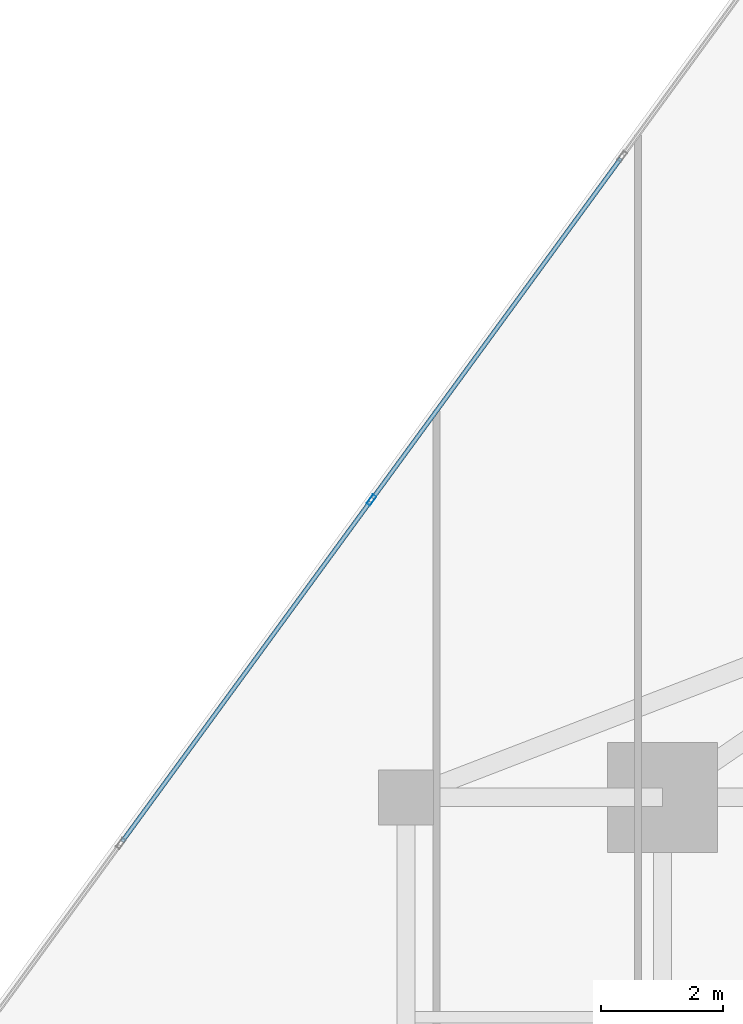
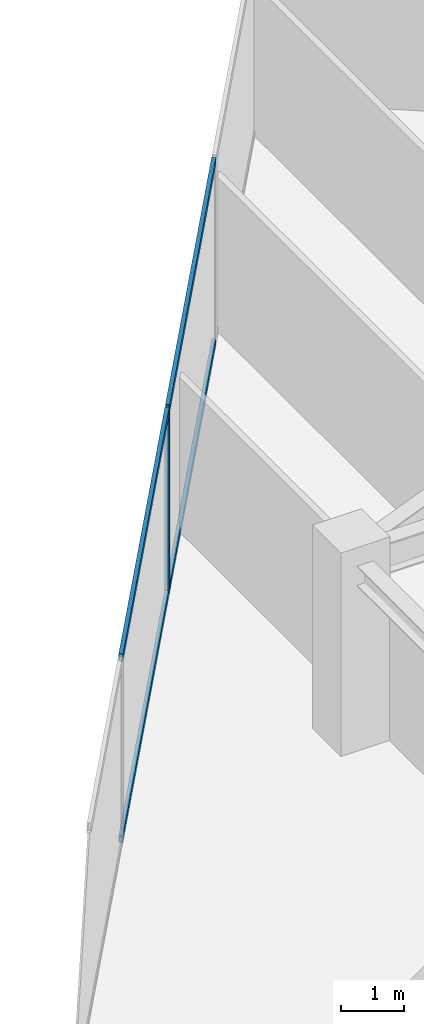
# One storey, part 13 of 25: 5 members, 1 element without a shape of its own.
"""IFC4 building model written with IfcOpenShell, lengths in metres."""

from ifc_helpers import new_model, si_unit, direction, frame, origin, origin_2d, place, context, subcontext, project, spatial, hollow_rectangle, extrude, source, transform, mapped, material, material_profile, profile_set, type_object, type_shapes, element, aggregate, save


model = new_model("IFC4")

# Units and contexts
model_context = context("Model", 3, precision=1e-05, world=origin(), true_north=direction((0.0, 1.0)))
body_context = subcontext(model_context, "Body", "Model", "MODEL_VIEW")
ifc_project = project(units=[si_unit("LENGTHUNIT", "METRE"), si_unit("AREAUNIT", "SQUARE_METRE"), si_unit("VOLUMEUNIT", "CUBIC_METRE"), si_unit("PLANEANGLEUNIT", "RADIAN"), si_unit("MASSUNIT", "GRAM", prefix="KILO")], contexts=[model_context])

# Site, building, storey
site_placement = place(None, origin())
site = spatial("IfcSite", under=ifc_project, at=site_placement, CompositionType="ELEMENT")
building_placement = place(site_placement, origin())
building = spatial("IfcBuilding", under=site, at=building_placement, Name="Krantzveldt Concourse Tower", CompositionType="ELEMENT")
storey_placement = place(building_placement, frame((0.0, 0.0, 197.550048828125)))
storey = spatial("IfcBuildingStorey", under=building, at=storey_placement, Name="L48", CompositionType="ELEMENT", Elevation=197.550048828125)

# Curtain wall, members
ifc_material = material(Name="Anodised aluminium 6063-T6", Category="aluminium")
curtain_wall_type = type_object("IfcCurtainWallType", Name="CW3", PredefinedType="USERDEFINED", material=ifc_material)
curtain_wall_placement = place(storey_placement, origin())
curtain_wall = element("IfcCurtainWall", 1, at=curtain_wall_placement, inside=storey, type_object=curtain_wall_type, Name="CW-L48-F01", ObjectType="UNITISED CURTAIN WALL", PredefinedType="USERDEFINED")
ifc_material_profile_1 = material_profile(ifc_material, hollow_rectangle(XDim=0.070068359375, YDim=0.179931640625, WallThickness=0.0048828125, at=origin_2d()), Name="Anodised aluminium 6063-T6", Category="aluminium")
ifc_profile_set_1 = profile_set([ifc_material_profile_1], Name="Anodised aluminium 6063-T6 - ALU-MULL 180x70x5")
member_type_1 = type_object("IfcMemberType", Name="CW-MUL-180", PredefinedType="MULLION", material=ifc_profile_set_1)
shared_shape_1 = source(origin(), body_context, "Body", "SweptSolid", [
    extrude(hollow_rectangle(XDim=0.070068359375, YDim=0.179931640625, WallThickness=0.0048828125, at=origin_2d()), origin(), (0.0, 0.0, 1.0), 3.58984375),
])
type_shapes(member_type_1, [shared_shape_1])
member_1_placement = place(storey_placement, frame((20.43505859375, 42.368896484375, 0.0), z_axis=(0.0, 0.0, 1.0), x_axis=(0.807732735781, -0.589548833895, 0.0)))
member_1 = element("IfcMember", 2, at=member_1_placement, type_object=member_type_1, Name="CW-Z34 mullion 3", PredefinedType="MULLION", context=body_context, shape_type="MappedRepresentation", body=[
    mapped(shared_shape_1, transform((0.0, 0.0, 0.0), x_axis=(1.0, 0.0, 0.0), y_axis=(0.0, 1.0, 0.0), z_axis=(0.0, 0.0, 1.0), scale=1.0)),
])
ifc_material_profile_2 = material_profile(ifc_material, hollow_rectangle(XDim=0.070068359375, YDim=0.139892578125, WallThickness=0.0048828125, at=origin_2d()), Name="Anodised aluminium 6063-T6", Category="aluminium")
ifc_profile_set_2 = profile_set([ifc_material_profile_2], Name="Anodised aluminium 6063-T6 - ALU-TRAN 140x70x5")
member_type_2 = type_object("IfcMemberType", Name="CW-TRN-150", PredefinedType="USERDEFINED", material=ifc_profile_set_2)
shared_shape_2 = source(origin(), body_context, "Body", "SweptSolid", [
    extrude(hollow_rectangle(XDim=0.070068359375, YDim=0.139892578125, WallThickness=0.0048828125, at=origin_2d()), origin(), (0.0, 0.0, 1.0), 6.89013671875),
])
member_2_placement = place(storey_placement, frame((20.414306640625, 42.3408203125, 0.034912109375), z_axis=(-0.589540306055, -0.807738960021, 0.0), x_axis=(0.807738960021, -0.589540306055, 0.0)))
member_2 = element("IfcMember", 3, at=member_2_placement, type_object=member_type_2, Name="CW-Z34 transom 3.1", ObjectType="TRANSOM", PredefinedType="USERDEFINED", context=body_context, shape_type="MappedRepresentation", body=[
    mapped(shared_shape_2, transform((0.0, 0.0, 0.0), x_axis=(1.0, 0.0, 0.0), y_axis=(0.0, 1.0, 0.0), z_axis=(0.0, 0.0, 1.0), scale=1.0)),
])
member_3_placement = place(storey_placement, frame((20.414306640625, 42.3408203125, 3.554931640625), z_axis=(-0.589540306055, -0.807738960021, 0.0), x_axis=(0.807738960021, -0.589540306055, 0.0)))
member_3 = element("IfcMember", 4, at=member_3_placement, type_object=member_type_2, Name="CW-Z34 transom 3.2", ObjectType="TRANSOM", PredefinedType="USERDEFINED", context=body_context, shape_type="MappedRepresentation", body=[
    mapped(shared_shape_2, transform((0.0, 0.0, 0.0), x_axis=(1.0, 0.0, 0.0), y_axis=(0.0, 1.0, 0.0), z_axis=(0.0, 0.0, 1.0), scale=1.0)),
])
shared_shape_3 = source(origin(), body_context, "Body", "SweptSolid", [
    extrude(hollow_rectangle(XDim=0.070068359375, YDim=0.139892578125, WallThickness=0.0048828125, at=origin_2d()), origin(), (0.0, 0.0, 1.0), 6.889892578125),
])
type_shapes(member_type_2, [shared_shape_2, shared_shape_3])
member_4_placement = place(storey_placement, frame((24.517578125, 47.96240234375, 0.034912109375), z_axis=(-0.589557179589, -0.807726644352, 0.0), x_axis=(0.807726644352, -0.589557179589, 0.0)))
member_4 = element("IfcMember", 5, at=member_4_placement, type_object=member_type_2, Name="CW-Z34 transom 2.1", ObjectType="TRANSOM", PredefinedType="USERDEFINED", context=body_context, shape_type="MappedRepresentation", body=[
    mapped(shared_shape_3, transform((0.0, 0.0, 0.0), x_axis=(1.0, 0.0, 0.0), y_axis=(0.0, 1.0, 0.0), z_axis=(0.0, 0.0, 1.0), scale=1.0)),
])
member_5_placement = place(storey_placement, frame((24.517578125, 47.96240234375, 3.554931640625), z_axis=(-0.589557179589, -0.807726644352, 0.0), x_axis=(0.807726644352, -0.589557179589, 0.0)))
member_5 = element("IfcMember", 6, at=member_5_placement, type_object=member_type_2, Name="CW-Z34 transom 2.2", ObjectType="TRANSOM", PredefinedType="USERDEFINED", context=body_context, shape_type="MappedRepresentation", body=[
    mapped(shared_shape_3, transform((0.0, 0.0, 0.0), x_axis=(1.0, 0.0, 0.0), y_axis=(0.0, 1.0, 0.0), z_axis=(0.0, 0.0, 1.0), scale=1.0)),
])
aggregate(curtain_wall, [member_1, member_4, member_5, member_2, member_3])

save(model, "model.ifc")
